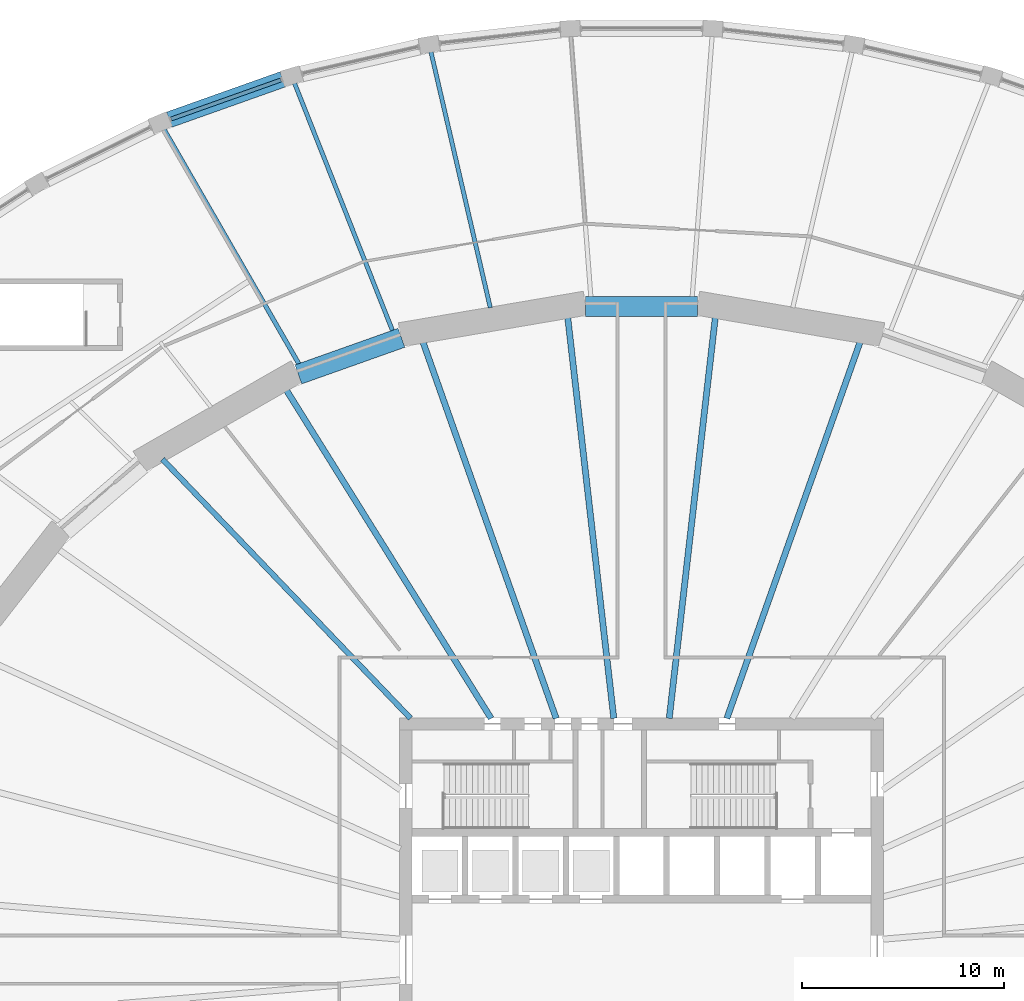
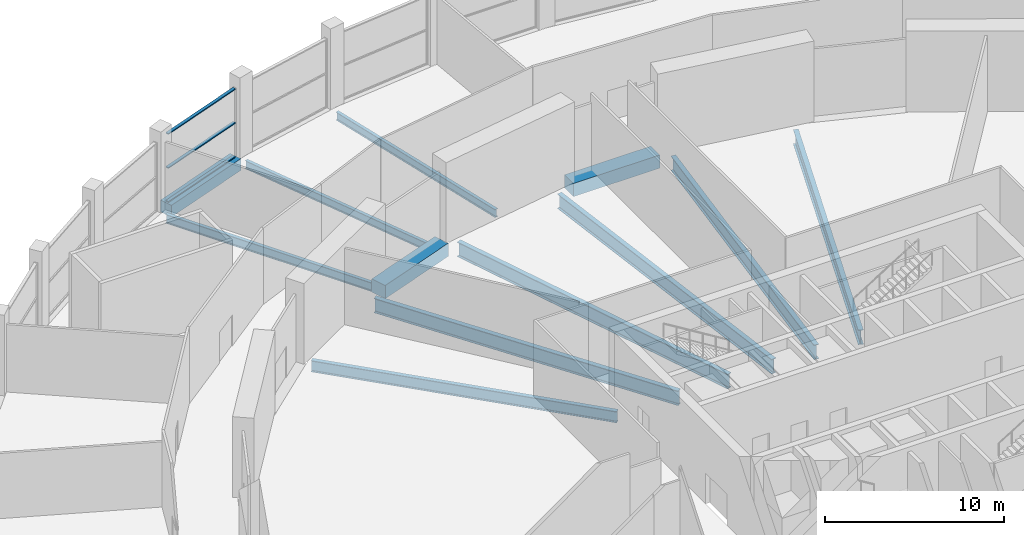
# One storey, part 13 of 26: 12 beams, 3 members, 1 element without a shape of its own.
"""IFC4 building model written with IfcOpenShell, lengths in metres."""

from ifc_helpers import new_model, si_unit, direction, frame, origin, origin_2d, place, context, subcontext, project, spatial, rectangle, i_section, extrude, material, material_profile, profile_set, type_object, element, aggregate, save


model = new_model("IFC4")

# Units and contexts
model_context = context("Model", 3, precision=1e-05, world=origin(), true_north=direction((0.0, 1.0)))
body_context = subcontext(model_context, "Body", "Model", "MODEL_VIEW")
ifc_project = project(units=[si_unit("LENGTHUNIT", "METRE"), si_unit("AREAUNIT", "SQUARE_METRE"), si_unit("VOLUMEUNIT", "CUBIC_METRE"), si_unit("PLANEANGLEUNIT", "RADIAN"), si_unit("MASSUNIT", "GRAM", prefix="KILO")], contexts=[model_context])

# Site, building, storey
site_placement = place(None, origin())
site = spatial("IfcSite", under=ifc_project, at=site_placement, CompositionType="ELEMENT")
building_placement = place(site_placement, origin())
building = spatial("IfcBuilding", under=site, at=building_placement, Name="Halqa Exchange Tower", CompositionType="ELEMENT")
storey_placement = place(building_placement, frame((0.0, 0.0, 18.0)))
storey = spatial("IfcBuildingStorey", under=building, at=storey_placement, Name="L03", CompositionType="ELEMENT", Elevation=18.0)

# Curtain wall, members
ifc_material_1 = material(Name="Anodised aluminium and clear glass", Category="aluminium")
curtain_wall_type = type_object("IfcCurtainWallType", Name="Exchange hall glazing", PredefinedType="NOTDEFINED", material=ifc_material_1)
curtain_wall_placement = place(storey_placement, origin())
curtain_wall = element("IfcCurtainWall", 1, at=curtain_wall_placement, inside=storey, type_object=curtain_wall_type, Name="Exchange hall glazing run P15", PredefinedType="NOTDEFINED")
ifc_material_2 = material(Name="Anodised aluminium", Category="aluminium")
ifc_material_profile_1 = material_profile(ifc_material_2, rectangle(XDim=0.199951171875, YDim=0.070068359375, at=origin_2d()), Name="AL 70x200")
ifc_profile_set_1 = profile_set([ifc_material_profile_1], Name="Anodised aluminium")
member_type = type_object("IfcMemberType", Name="Exchange hall glazing transom 70 x 200", PredefinedType="USERDEFINED", material=ifc_profile_set_1)
member_1_placement = place(storey_placement, frame((-17.894775390625, 43.652099609375, 0.034912109375), z_axis=(-0.942328600126, -0.334689123493, 0.0), x_axis=(0.334689123493, -0.942328600126, 0.0)))
member_1 = element("IfcMember", 2, at=member_1_placement, type_object=member_type, Name="P15 transom 1.1", ObjectType="TRANSOM", PredefinedType="USERDEFINED", context=body_context, shape_type="SweptSolid", body=[
    extrude(rectangle(XDim=0.199951171875, YDim=0.070068359375, at=origin_2d()), origin(), (0.0, 0.0, 1.0), 5.785400390625),
])
member_2_placement = place(storey_placement, frame((-17.894775390625, 43.652099609375, 2.35009765625), z_axis=(-0.942328600126, -0.334689123493, 0.0), x_axis=(0.334689123493, -0.942328600126, 0.0)))
member_2 = element("IfcMember", 3, at=member_2_placement, type_object=member_type, Name="P15 transom 1.2", ObjectType="TRANSOM", PredefinedType="USERDEFINED", context=body_context, shape_type="SweptSolid", body=[
    extrude(rectangle(XDim=0.199951171875, YDim=0.070068359375, at=origin_2d()), origin(), (0.0, 0.0, 1.0), 5.785400390625),
])
member_3_placement = place(storey_placement, frame((-17.894775390625, 43.652099609375, 4.6650390625), z_axis=(-0.942328600126, -0.334689123493, 0.0), x_axis=(0.334689123493, -0.942328600126, 0.0)))
member_3 = element("IfcMember", 4, at=member_3_placement, type_object=member_type, Name="P15 transom 1.3", ObjectType="TRANSOM", PredefinedType="USERDEFINED", context=body_context, shape_type="SweptSolid", body=[
    extrude(rectangle(XDim=0.199951171875, YDim=0.070068359375, at=origin_2d()), origin(), (0.0, 0.0, 1.0), 5.785400390625),
])
aggregate(curtain_wall, [member_1, member_2, member_3])

# Beams
ifc_material_3 = material(Name="Steel S355", Category="steel")
ifc_material_profile_2 = material_profile(ifc_material_3, i_section(OverallWidth=0.300048828125, OverallDepth=0.989990234375, WebThickness=0.0166015625, FlangeThickness=0.031005859375, FilletRadius=0.030029296875, at=origin_2d()), Name="HEA 1000")
ifc_profile_set_2 = profile_set([ifc_material_profile_2], Name="Steel S355")
beam_type_1 = type_object("IfcBeamType", Name="Floor beam HEA 1000", PredefinedType="BEAM", material=ifc_profile_set_2)
beam_1_placement = place(storey_placement, frame((-7.46533203125, 11.971435546875, -0.844970703125), z_axis=(-0.529145823441, 0.848530905468, 0.0), x_axis=(-0.848530905468, -0.529145823441, 0.0)))
element("IfcBeam", 5, at=beam_1_placement, inside=storey, type_object=beam_type_1, Name="Radial beam 11", PredefinedType="BEAM", context=body_context, shape_type="SweptSolid", body=[
    extrude(i_section(OverallWidth=0.300048828125, OverallDepth=0.989990234375, WebThickness=0.0166015625, FlangeThickness=0.031005859375, FilletRadius=0.030029296875, at=origin_2d()), origin(), (0.0, 0.0, 1.0), 19.27294921875),
])
ifc_material_profile_3 = material_profile(ifc_material_3, i_section(OverallWidth=0.300048828125, OverallDepth=1.0, WebThickness=0.01904296875, FlangeThickness=0.035888671875, FilletRadius=0.030029296875, at=origin_2d()), Name="HEB 1000")
ifc_profile_set_3 = profile_set([ifc_material_profile_3], Name="Steel S355")
beam_type_2 = type_object("IfcBeamType", Name="Floor beam HEB 1000", PredefinedType="BEAM", material=ifc_profile_set_3)
beam_2_placement = place(storey_placement, frame((4.23681640625, 11.971923828125, -0.85009765625), z_axis=(0.333633039334, 0.942703025913, 0.0), x_axis=(-0.942703025913, 0.333633039334, 0.0)))
element("IfcBeam", 6, at=beam_2_placement, inside=storey, type_object=beam_type_2, Name="Radial beam 7", PredefinedType="BEAM", context=body_context, shape_type="SweptSolid", body=[
    extrude(i_section(OverallWidth=0.300048828125, OverallDepth=1.0, WebThickness=0.01904296875, FlangeThickness=0.035888671875, FilletRadius=0.030029296875, at=origin_2d()), origin(), (0.0, 0.0, 1.0), 19.885009765625),
])
for number, where, z_axis, x_axis, name in (
    (7, (1.375732421875, 11.972900390625, -0.85009765625), (0.114166838833, 0.99346159106, 0.0), (-0.99346159106, 0.114166838833, 0.0), "Radial beam 8"),
    (8, (-1.375732421875, 11.972900390625, -0.85009765625), (-0.114166838833, 0.99346159106, 0.0), (-0.99346159106, -0.114166838833, 0.0), "Radial beam 9"),
):
    element("IfcBeam", number, at=place(storey_placement, frame(where, z_axis=z_axis, x_axis=x_axis)), inside=storey, type_object=beam_type_2, Name=name, PredefinedType="BEAM", context=body_context, shape_type="SweptSolid", body=[
        extrude(i_section(OverallWidth=0.300048828125, OverallDepth=1.0, WebThickness=0.01904296875, FlangeThickness=0.035888671875, FilletRadius=0.030029296875, at=origin_2d()), origin(), (0.0, 0.0, 1.0), 20.103515625),
    ])
beam_3_placement = place(storey_placement, frame((-4.23681640625, 11.971923828125, -0.85009765625), z_axis=(-0.333633039334, 0.942703025913, 0.0), x_axis=(-0.942703025913, -0.333633039334, 0.0)))
element("IfcBeam", 9, at=beam_3_placement, inside=storey, type_object=beam_type_2, Name="Radial beam 10", PredefinedType="BEAM", context=body_context, shape_type="SweptSolid", body=[
    extrude(i_section(OverallWidth=0.300048828125, OverallDepth=1.0, WebThickness=0.01904296875, FlangeThickness=0.035888671875, FilletRadius=0.030029296875, at=origin_2d()), origin(), (0.0, 0.0, 1.0), 19.885009765625),
])
ifc_material_profile_4 = material_profile(ifc_material_3, i_section(OverallWidth=0.2099609375, OverallDepth=0.550048828125, WebThickness=0.010986328125, FlangeThickness=0.01708984375, FilletRadius=0.02392578125, at=origin_2d()), Name="IPE 550")
ifc_profile_set_4 = profile_set([ifc_material_profile_4], Name="Steel S355")
beam_type_3 = type_object("IfcBeamType", Name="Floor beam IPE 550", PredefinedType="BEAM", material=ifc_profile_set_4)
beam_4_placement = place(storey_placement, frame((-7.5048828125, 32.35009765625, -0.625), z_axis=(-0.2259960959, 0.974128207495, 0.0), x_axis=(-0.974128207495, -0.2259960959, 0.0)))
element("IfcBeam", 10, at=beam_4_placement, inside=storey, type_object=beam_type_3, Name="Radial beam 14", PredefinedType="BEAM", context=body_context, shape_type="SweptSolid", body=[
    extrude(i_section(OverallWidth=0.2099609375, OverallDepth=0.550048828125, WebThickness=0.010986328125, FlangeThickness=0.01708984375, FilletRadius=0.02392578125, at=origin_2d()), origin(), (0.0, 0.0, 1.0), 13.03466796875),
])
beam_5_placement = place(storey_placement, frame((-12.352294921875, 31.2001953125, -0.625), z_axis=(-0.368106640822, 0.929783577497, 0.0), x_axis=(-0.929783577497, -0.368106640822, 0.0)))
element("IfcBeam", 11, at=beam_5_placement, inside=storey, type_object=beam_type_3, Name="Radial beam 15", PredefinedType="BEAM", context=body_context, shape_type="SweptSolid", body=[
    extrude(i_section(OverallWidth=0.2099609375, OverallDepth=0.550048828125, WebThickness=0.010986328125, FlangeThickness=0.01708984375, FilletRadius=0.02392578125, at=origin_2d()), origin(), (0.0, 0.0, 1.0), 13.22412109375),
])
ifc_material_profile_5 = material_profile(ifc_material_3, i_section(OverallWidth=0.219970703125, OverallDepth=0.60009765625, WebThickness=0.011962890625, FlangeThickness=0.01904296875, FilletRadius=0.02392578125, at=origin_2d()), Name="IPE 600")
ifc_profile_set_5 = profile_set([ifc_material_profile_5], Name="Steel S355")
beam_type_4 = type_object("IfcBeamType", Name="Floor beam IPE 600", PredefinedType="BEAM", material=ifc_profile_set_5)
beam_6_placement = place(storey_placement, frame((-16.996826171875, 29.551513671875, -0.64990234375), z_axis=(-0.498570786865, 0.866848989435, 0.0), x_axis=(-0.866848989435, -0.498570786865, 0.0)))
element("IfcBeam", 12, at=beam_6_placement, inside=storey, type_object=beam_type_4, Name="Radial beam 16", PredefinedType="BEAM", context=body_context, shape_type="SweptSolid", body=[
    extrude(i_section(OverallWidth=0.219970703125, OverallDepth=0.60009765625, WebThickness=0.011962890625, FlangeThickness=0.01904296875, FilletRadius=0.02392578125, at=origin_2d()), origin(), (0.0, 0.0, 1.0), 13.438720703125),
])
ifc_material_profile_6 = material_profile(ifc_material_3, i_section(OverallWidth=0.26806640625, OverallDepth=0.77001953125, WebThickness=0.015625, FlangeThickness=0.025390625, FilletRadius=0.01708984375, at=origin_2d()), Name="IPE 750x196")
ifc_profile_set_6 = profile_set([ifc_material_profile_6], Name="Steel S355")
beam_type_5 = type_object("IfcBeamType", Name="Floor beam IPE 750x196", PredefinedType="BEAM", material=ifc_profile_set_6)
beam_7_placement = place(storey_placement, frame((-11.46240234375, 11.9716796875, -0.735107421875), z_axis=(-0.6915763718, 0.722303344841, 0.0), x_axis=(-0.722303344841, -0.6915763718, 0.0)))
element("IfcBeam", 13, at=beam_7_placement, inside=storey, type_object=beam_type_5, Name="Radial beam 12", PredefinedType="BEAM", context=body_context, shape_type="SweptSolid", body=[
    extrude(i_section(OverallWidth=0.26806640625, OverallDepth=0.77001953125, WebThickness=0.015625, FlangeThickness=0.025390625, FilletRadius=0.01708984375, at=origin_2d()), origin(), (0.0, 0.0, 1.0), 17.7978515625),
])
ifc_material_4 = material(Name="Concrete C60/75", Category="concrete")
ifc_material_profile_7 = material_profile(ifc_material_4, rectangle(XDim=0.800048828125, YDim=0.800048828125, at=origin_2d()), Name="800 x 800")
ifc_profile_set_7 = profile_set([ifc_material_profile_7], Name="Concrete C60/75")
beam_type_6 = type_object("IfcBeamType", Name="RC podium edge beam 800 x 800 C60/75", PredefinedType="SPANDREL", material=ifc_profile_set_7)
beam_8_placement = place(storey_placement, frame((-17.802490234375, 43.684814453125, -0.39990234375), z_axis=(-0.942343471221, -0.334647250469, 0.0), x_axis=(0.334647250469, -0.942343471221, 0.0)))
element("IfcBeam", 14, at=beam_8_placement, inside=storey, type_object=beam_type_6, Name="Podium edge beam 15", PredefinedType="SPANDREL", context=body_context, shape_type="SweptSolid", body=[
    extrude(rectangle(XDim=0.800048828125, YDim=0.800048828125, at=origin_2d()), origin(), (0.0, 0.0, 1.0), 5.980712890625),
])
ifc_material_profile_8 = material_profile(ifc_material_4, rectangle(XDim=1.0, YDim=0.89990234375, at=origin_2d()), Name="1000 x 900")
ifc_profile_set_8 = profile_set([ifc_material_profile_8], Name="Concrete C60/75")
beam_type_7 = type_object("IfcBeamType", Name="RC spandrel beam 1000 x 900 C60/75", PredefinedType="SPANDREL", material=ifc_profile_set_8)
beam_9_placement = place(storey_placement, frame((2.789794921875, 32.41455078125, -0.449951171875), z_axis=(-1.0, 0.0, 0.0), x_axis=(0.0, -1.0, 0.0)))
element("IfcBeam", 15, at=beam_9_placement, inside=storey, type_object=beam_type_7, Name="Spandrel 8", PredefinedType="SPANDREL", context=body_context, shape_type="SweptSolid", body=[
    extrude(rectangle(XDim=1.0, YDim=0.89990234375, at=origin_2d()), origin(), (0.0, 0.0, 1.0), 5.57958984375),
])
beam_10_placement = place(storey_placement, frame((-11.9130859375, 30.855712890625, -0.449951171875), z_axis=(-0.942357788657, -0.334606930826, 0.0), x_axis=(0.334606930826, -0.942357788657, 0.0)))
element("IfcBeam", 16, at=beam_10_placement, inside=storey, type_object=beam_type_7, Name="Spandrel 10", PredefinedType="SPANDREL", context=body_context, shape_type="SweptSolid", body=[
    extrude(rectangle(XDim=1.0, YDim=0.89990234375, at=origin_2d()), origin(), (0.0, 0.0, 1.0), 5.429931640625),
])

save(model, "model.ifc")
